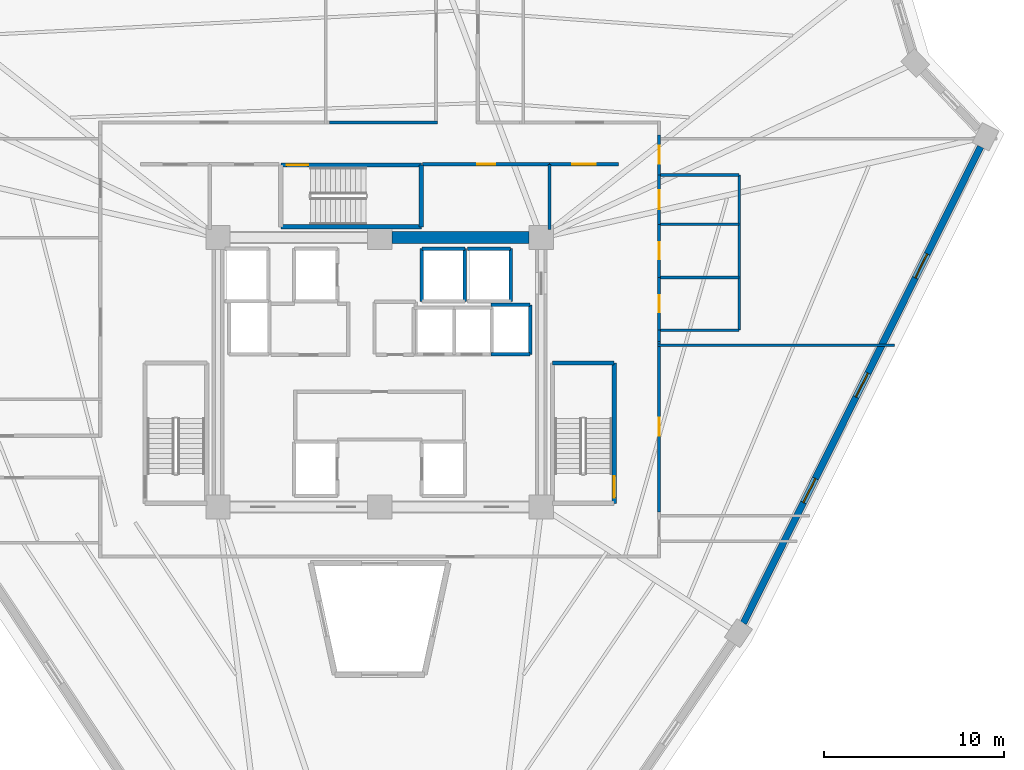
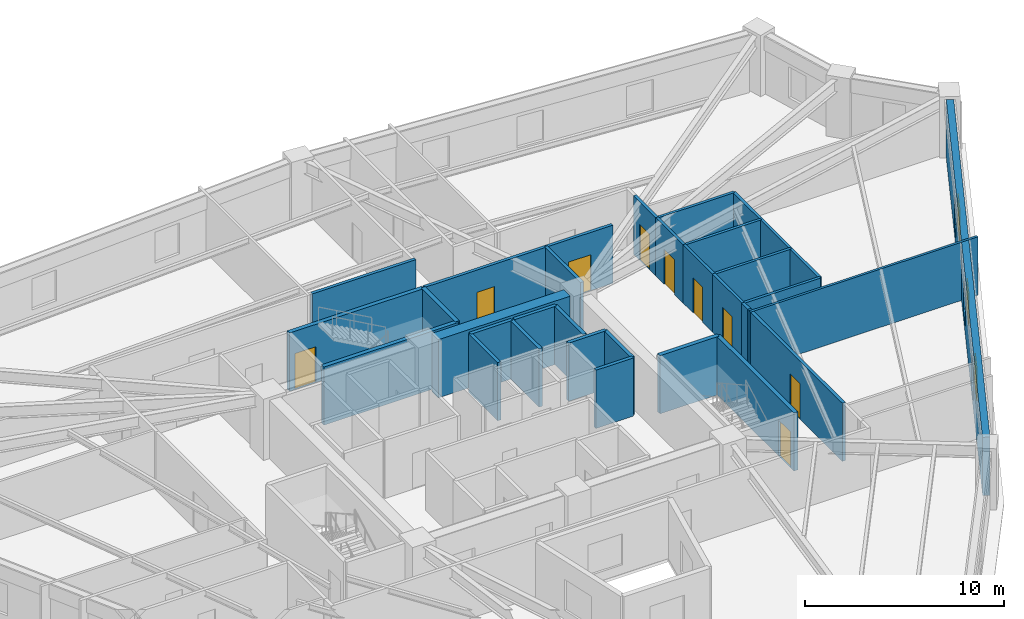
# One storey, part 6 of 8: 31 walls, 9 doors, 3 windows, 12 openings.
"""IFC4 building model written with IfcOpenShell, lengths in metres."""

from ifc_helpers import new_model, si_unit, direction, frame, frame_2d, origin, place, context, subcontext, project, spatial, rectangle, extrude, source, transform, mapped, material, layer, layer_set, type_object, element, fill, save


model = new_model("IFC4")

# Units and contexts
model_context = context("Model", 3, precision=1e-05, world=origin(), true_north=direction((0.0, 1.0)))
body_context = subcontext(model_context, "Body", "Model", "MODEL_VIEW")
ifc_project = project(units=[si_unit("LENGTHUNIT", "METRE"), si_unit("AREAUNIT", "SQUARE_METRE"), si_unit("VOLUMEUNIT", "CUBIC_METRE"), si_unit("PLANEANGLEUNIT", "RADIAN"), si_unit("MASSUNIT", "GRAM", prefix="KILO")], contexts=[model_context])

# Site, building, storey
site_placement = place(None, origin())
site = spatial("IfcSite", under=ifc_project, at=site_placement, CompositionType="ELEMENT")
building_placement = place(site_placement, origin())
building = spatial("IfcBuilding", under=site, at=building_placement, Name="Liaohun Quay Tower", CompositionType="ELEMENT")
storey_placement = place(building_placement, frame((0.0, 0.0, 205.5)))
storey = spatial("IfcBuildingStorey", under=building, at=storey_placement, Name="L53", CompositionType="ELEMENT", Elevation=205.5)

# Wall
ifc_material_1 = material(Name="Concrete C55", Category="concrete")
ifc_layer_1 = layer(ifc_material_1, 0.64990234375, Name="Concrete C55", Category="concrete")
ifc_layer_set_1 = layer_set([ifc_layer_1], Name="Concrete C55")
wall_type_1 = type_object("IfcWallType", Name="WAL-COR-Z3", PredefinedType="SHEAR", material=ifc_layer_set_1)
wall_1_placement = place(storey_placement, frame((60.675048828125, 61.5, 0.0), z_axis=(0.0, 0.0, 1.0), x_axis=(1.0, 0.0, 0.0)))
element("IfcWall", 1, at=wall_1_placement, inside=storey, type_object=wall_type_1, Name="L53 Central Core Shear Wall N-E", PredefinedType="SHEAR", context=body_context, shape_type="SweptSolid", body=[
    extrude(rectangle(XDim=7.64990234375, YDim=0.64990234375, at=frame_2d((3.824951171875, 0.0))), origin(), (0.0, 0.0, 1.0), 3.570068359375),
])

# Wall, openings, windows
ifc_material_2 = material(Name="Precast concrete C50 insulated sandwich", Category="concrete")
ifc_layer_2 = layer(ifc_material_2, 0.3798828125, Name="Precast concrete C50 insulated sandwich", Category="concrete")
ifc_layer_set_2 = layer_set([ifc_layer_2], Name="Precast concrete C50 insulated sandwich")
wall_type_2 = type_object("IfcWallType", Name="WAL-EXT-Z34", PredefinedType="SOLIDWALL", material=ifc_layer_set_2)
wall_2_placement = place(storey_placement, frame((80.2490234375, 40.02392578125, 0.0), z_axis=(0.0, 0.0, 1.0), x_axis=(0.445750225077, 0.895157381047, 0.0)))
wall_2 = element("IfcWall", 2, at=wall_2_placement, inside=storey, type_object=wall_type_2, Name="L53 Brutalist Precast Pier Wall 03", PredefinedType="SOLIDWALL", context=body_context, shape_type="SweptSolid", body=[
    extrude(rectangle(XDim=29.641845703125, YDim=0.3798828125, at=frame_2d((14.82080078125, 0.0))), origin(), (0.0, 0.0, 1.0), 3.570068359375),
])
shared_shape_1 = source(origin(), body_context, "Body", "SweptSolid", [
    extrude(rectangle(XDim=1.5, YDim=1.89990234375, at=frame_2d((0.75, 0.949951171875))), frame((0.0, 0.199951171875, 0.0), z_axis=(0.0, -1.0, 0.0), x_axis=(1.0, 0.0, 0.0)), (0.0, 0.0, 1.0), 0.39990234375),
])
opening_1_placement = place(wall_2_placement, frame((7.510009765625, 0.0, 0.550048828125)))
opening_1 = element("IfcOpeningElement", 3, at=opening_1_placement, cuts=wall_2, Name="Opening W03", PredefinedType="OPENING", context=body_context, shape_type="MappedRepresentation", body=[
    mapped(shared_shape_1, transform((0.0, 0.0, 0.0), x_axis=(1.0, 0.0, 0.0), y_axis=(0.0, 1.0, 0.0), z_axis=(0.0, 0.0, 1.0), scale=1.0)),
])
opening_2_placement = place(wall_2_placement, frame((14.071044921875, 0.0, 0.550048828125)))
opening_2 = element("IfcOpeningElement", 4, at=opening_2_placement, cuts=wall_2, Name="Opening W03", PredefinedType="OPENING", context=body_context, shape_type="MappedRepresentation", body=[
    mapped(shared_shape_1, transform((0.0, 0.0, 0.0), x_axis=(1.0, 0.0, 0.0), y_axis=(0.0, 1.0, 0.0), z_axis=(0.0, 0.0, 1.0), scale=1.0)),
])
opening_3_placement = place(wall_2_placement, frame((21.48095703125, 0.0, 0.550048828125)))
opening_3 = element("IfcOpeningElement", 5, at=opening_3_placement, cuts=wall_2, Name="Opening W03", PredefinedType="OPENING", context=body_context, shape_type="MappedRepresentation", body=[
    mapped(shared_shape_1, transform((0.0, 0.0, 0.0), x_axis=(1.0, 0.0, 0.0), y_axis=(0.0, 1.0, 0.0), z_axis=(0.0, 0.0, 1.0), scale=1.0)),
])
ifc_material_3 = material(Name="Triple Low-E argon glazing in thermally broken aluminium", Category="aluminium")
window_type = type_object("IfcWindowType", Name="WIN-PUN-Z3", PartitioningType="DOUBLE_PANEL_VERTICAL", PredefinedType="WINDOW", material=ifc_material_3)
shared_shape_2 = source(origin(), body_context, "Body", "SweptSolid", [
    extrude(rectangle(XDim=1.5, YDim=1.89990234375, at=frame_2d((0.75, 0.949951171875))), frame((0.0, 0.030029296875, 0.0), z_axis=(0.0, -1.0, 0.0), x_axis=(1.0, 0.0, 0.0)), (0.0, 0.0, 1.0), 0.06005859375),
])
window_1_placement = place(opening_1_placement, origin())
window_1 = element("IfcWindow", 6, at=window_1_placement, inside=storey, type_object=window_type, Name="L53 Recessed Cold-Climate Punched Window 03-1", OverallHeight=1.89990234375, OverallWidth=1.5, PartitioningType="DOUBLE_PANEL_VERTICAL", PredefinedType="WINDOW", context=body_context, shape_type="MappedRepresentation", body=[
    mapped(shared_shape_2, transform((0.0, 0.0, 0.0), x_axis=(1.0, 0.0, 0.0), y_axis=(0.0, 1.0, 0.0), z_axis=(0.0, 0.0, 1.0), scale=1.0)),
])
fill(opening_1, window_1)
window_2_placement = place(opening_2_placement, origin())
window_2 = element("IfcWindow", 7, at=window_2_placement, inside=storey, type_object=window_type, Name="L53 Recessed Cold-Climate Punched Window 03-2", OverallHeight=1.89990234375, OverallWidth=1.5, PartitioningType="DOUBLE_PANEL_VERTICAL", PredefinedType="WINDOW", context=body_context, shape_type="MappedRepresentation", body=[
    mapped(shared_shape_2, transform((0.0, 0.0, 0.0), x_axis=(1.0, 0.0, 0.0), y_axis=(0.0, 1.0, 0.0), z_axis=(0.0, 0.0, 1.0), scale=1.0)),
])
fill(opening_2, window_2)
window_3_placement = place(opening_3_placement, origin())
window_3 = element("IfcWindow", 8, at=window_3_placement, inside=storey, type_object=window_type, Name="L53 Recessed Cold-Climate Punched Window 03-3", OverallHeight=1.89990234375, OverallWidth=1.5, PartitioningType="DOUBLE_PANEL_VERTICAL", PredefinedType="WINDOW", context=body_context, shape_type="MappedRepresentation", body=[
    mapped(shared_shape_2, transform((0.0, 0.0, 0.0), x_axis=(1.0, 0.0, 0.0), y_axis=(0.0, 1.0, 0.0), z_axis=(0.0, 0.0, 1.0), scale=1.0)),
])
fill(opening_3, window_3)

# Wall, opening, door
ifc_material_4 = material(Name="Autoclaved aerated concrete blockwork", Category="masonry")
ifc_layer_3 = layer(ifc_material_4, 0.179931640625, Name="Autoclaved aerated concrete blockwork", Category="masonry")
ifc_layer_set_3 = layer_set([ifc_layer_3], Name="Autoclaved aerated concrete blockwork")
wall_type_3 = type_object("IfcWallType", Name="WAL-PRT-COR", PredefinedType="PARTITIONING", material=ifc_layer_set_3)
wall_3_placement = place(storey_placement, frame((62.389892578125, 65.580078125, 0.0), z_axis=(0.0, 0.0, 1.0), x_axis=(1.0, 0.0, 0.0)))
wall_3 = element("IfcWall", 9, at=wall_3_placement, inside=storey, type_object=wall_type_3, Name="L53 Interior Partition Wall 008", PredefinedType="PARTITIONING", context=body_context, shape_type="SweptSolid", body=[
    extrude(rectangle(XDim=7.070068359375, YDim=0.179931640625, at=frame_2d((3.53515625, 0.0))), origin(), (0.0, 0.0, 1.0), 3.570068359375),
])
shared_shape_3 = source(origin(), body_context, "Body", "SweptSolid", [
    extrude(rectangle(XDim=1.0, YDim=2.199951171875, at=frame_2d((0.5, 1.10009765625))), frame((0.0, 0.099853515625, 0.0), z_axis=(0.0, -1.0, 0.0), x_axis=(1.0, 0.0, 0.0)), (0.0, 0.0, 1.0), 0.199951171875),
])
opening_4_placement = place(wall_3_placement, frame((3.034912109375, 0.0, 0.0)))
opening_4 = element("IfcOpeningElement", 10, at=opening_4_placement, cuts=wall_3, Name="Opening OD1", PredefinedType="OPENING", context=body_context, shape_type="MappedRepresentation", body=[
    mapped(shared_shape_3, transform((0.0, 0.0, 0.0), x_axis=(1.0, 0.0, 0.0), y_axis=(0.0, 1.0, 0.0), z_axis=(0.0, 0.0, 1.0), scale=1.0)),
])
ifc_material_5 = material(Name="Solid-core oak veneer timber leaf in steel frame", Category="steel")
door_type_1 = type_object("IfcDoorType", Name="DOR-OFF-1000", OperationType="NOTDEFINED", PredefinedType="DOOR", material=ifc_material_5)
shared_shape_4 = source(origin(), body_context, "Body", "SweptSolid", [
    extrude(rectangle(XDim=1.0, YDim=2.199951171875, at=frame_2d((0.5, 1.10009765625))), frame((0.0, 0.02490234375, 0.0), z_axis=(0.0, -1.0, 0.0), x_axis=(1.0, 0.0, 0.0)), (0.0, 0.0, 1.0), 0.050048828125),
])
door_1_placement = place(opening_4_placement, origin())
door_1 = element("IfcDoor", 11, at=door_1_placement, inside=storey, type_object=door_type_1, Name="L53 North-East Archive and Mail Room Door", OperationType="SINGLE_SWING_LEFT", OverallHeight=2.199951171875, OverallWidth=1.0, PredefinedType="DOOR", context=body_context, shape_type="MappedRepresentation", body=[
    mapped(shared_shape_4, transform((0.0, 0.0, 0.0), x_axis=(1.0, 0.0, 0.0), y_axis=(0.0, 1.0, 0.0), z_axis=(0.0, 0.0, 1.0), scale=1.0)),
])
fill(opening_4, door_1)

wall_4_placement = place(storey_placement, frame((69.4599609375, 65.580078125, 0.0), z_axis=(0.0, 0.0, 1.0), x_axis=(1.0, 0.0, 0.0)))
wall_4 = element("IfcWall", 12, at=wall_4_placement, inside=storey, type_object=wall_type_3, Name="L53 Interior Partition Wall 010", PredefinedType="PARTITIONING", context=body_context, shape_type="SweptSolid", body=[
    extrude(rectangle(XDim=3.840087890625, YDim=0.179931640625, at=frame_2d((1.919921875, 0.0))), origin(), (0.0, 0.0, 1.0), 3.570068359375),
])
shared_shape_5 = source(origin(), body_context, "Body", "SweptSolid", [
    extrude(rectangle(XDim=1.300048828125, YDim=2.199951171875, at=frame_2d((0.64990234375, 1.10009765625))), frame((0.0, 0.099853515625, 0.0), z_axis=(0.0, -1.0, 0.0), x_axis=(1.0, 0.0, 0.0)), (0.0, 0.0, 1.0), 0.199951171875),
])
opening_5_placement = place(wall_4_placement, frame((1.27001953125, 0.0, 0.0)))
opening_5 = element("IfcOpeningElement", 13, at=opening_5_placement, cuts=wall_4, Name="Opening FD1", PredefinedType="OPENING", context=body_context, shape_type="MappedRepresentation", body=[
    mapped(shared_shape_5, transform((0.0, 0.0, 0.0), x_axis=(1.0, 0.0, 0.0), y_axis=(0.0, 1.0, 0.0), z_axis=(0.0, 0.0, 1.0), scale=1.0)),
])
ifc_material_6 = material(Name="Galvanised steel smokeproof fire door", Category="steel")
door_type_2 = type_object("IfcDoorType", Name="DOR-FFL-1300", OperationType="NOTDEFINED", PredefinedType="DOOR", material=ifc_material_6)
shared_shape_6 = source(origin(), body_context, "Body", "SweptSolid", [
    extrude(rectangle(XDim=1.300048828125, YDim=2.199951171875, at=frame_2d((0.64990234375, 1.10009765625))), frame((0.0, 0.02490234375, 0.0), z_axis=(0.0, -1.0, 0.0), x_axis=(1.0, 0.0, 0.0)), (0.0, 0.0, 1.0), 0.050048828125),
])
door_2_placement = place(opening_5_placement, origin())
door_2 = element("IfcDoor", 14, at=door_2_placement, inside=storey, type_object=door_type_2, Name="L53 East Core Vestibule Door", OperationType="SINGLE_SWING_LEFT", OverallHeight=2.199951171875, OverallWidth=1.300048828125, PredefinedType="DOOR", context=body_context, shape_type="MappedRepresentation", body=[
    mapped(shared_shape_6, transform((0.0, 0.0, 0.0), x_axis=(1.0, 0.0, 0.0), y_axis=(0.0, 1.0, 0.0), z_axis=(0.0, 0.0, 1.0), scale=1.0)),
])
fill(opening_5, door_2)

wall_5_placement = place(storey_placement, frame((75.56005859375, 67.215087890625, 0.0), z_axis=(0.0, 0.0, 1.0), x_axis=(0.0, -1.0, 0.0)))
wall_5 = element("IfcWall", 15, at=wall_5_placement, inside=storey, type_object=wall_type_3, Name="L53 Interior Partition Wall 011", PredefinedType="PARTITIONING", context=body_context, shape_type="SweptSolid", body=[
    extrude(rectangle(XDim=2.235107421875, YDim=0.179931640625, at=frame_2d((1.11767578125, 0.0))), origin(), (0.0, 0.0, 1.0), 3.570068359375),
])
opening_6_placement = place(wall_5_placement, frame((0.616943359375, 0.0, 0.0)))
opening_6 = element("IfcOpeningElement", 16, at=opening_6_placement, cuts=wall_5, Name="Opening OD1", PredefinedType="OPENING", context=body_context, shape_type="MappedRepresentation", body=[
    mapped(shared_shape_3, transform((0.0, 0.0, 0.0), x_axis=(1.0, 0.0, 0.0), y_axis=(0.0, 1.0, 0.0), z_axis=(0.0, 0.0, 1.0), scale=1.0)),
])
door_3_placement = place(opening_6_placement, origin())
door_3 = element("IfcDoor", 17, at=door_3_placement, inside=storey, type_object=door_type_1, Name="L53 Staff Daycare Nursery 01 Door", OperationType="SINGLE_SWING_RIGHT", OverallHeight=2.199951171875, OverallWidth=1.0, PredefinedType="DOOR", context=body_context, shape_type="MappedRepresentation", body=[
    mapped(shared_shape_4, transform((0.0, 0.0, 0.0), x_axis=(1.0, 0.0, 0.0), y_axis=(0.0, 1.0, 0.0), z_axis=(0.0, 0.0, 1.0), scale=1.0)),
])
fill(opening_6, door_3)

wall_6_placement = place(storey_placement, frame((75.56005859375, 55.715087890625, 0.0), z_axis=(0.0, 0.0, 1.0), x_axis=(0.0, -1.0, 0.0)))
wall_6 = element("IfcWall", 18, at=wall_6_placement, inside=storey, type_object=wall_type_3, Name="L53 Interior Partition Wall 022", PredefinedType="PARTITIONING", context=body_context, shape_type="SweptSolid", body=[
    extrude(rectangle(XDim=9.5, YDim=0.179931640625, at=frame_2d((4.75, 0.0))), origin(), (0.0, 0.0, 1.0), 3.570068359375),
])
opening_7_placement = place(wall_6_placement, frame((4.25, 0.0, 0.0)))
opening_7 = element("IfcOpeningElement", 19, at=opening_7_placement, cuts=wall_6, Name="Opening OD1", PredefinedType="OPENING", context=body_context, shape_type="MappedRepresentation", body=[
    mapped(shared_shape_3, transform((0.0, 0.0, 0.0), x_axis=(1.0, 0.0, 0.0), y_axis=(0.0, 1.0, 0.0), z_axis=(0.0, 0.0, 1.0), scale=1.0)),
])
door_4_placement = place(opening_7_placement, origin())
door_4 = element("IfcDoor", 20, at=door_4_placement, inside=storey, type_object=door_type_1, Name="L53 Client Reception Office 12 Door", OperationType="SINGLE_SWING_LEFT", OverallHeight=2.199951171875, OverallWidth=1.0, PredefinedType="DOOR", context=body_context, shape_type="MappedRepresentation", body=[
    mapped(shared_shape_4, transform((0.0, 0.0, 0.0), x_axis=(1.0, 0.0, 0.0), y_axis=(0.0, 1.0, 0.0), z_axis=(0.0, 0.0, 1.0), scale=1.0)),
])
fill(opening_7, door_4)

# Walls
wall_7_placement = place(storey_placement, frame((69.4599609375, 61.949951171875, 0.0), z_axis=(0.0, 0.0, 1.0), x_axis=(0.0, 1.0, 0.0)))
element("IfcWall", 21, at=wall_7_placement, inside=storey, type_object=wall_type_3, Name="L53 Interior Partition Wall 032", PredefinedType="PARTITIONING", context=body_context, shape_type="SweptSolid", body=[
    extrude(rectangle(XDim=3.630126953125, YDim=0.179931640625, at=frame_2d((1.81494140625, 0.0))), origin(), (0.0, 0.0, 1.0), 3.570068359375),
])
wall_8_placement = place(storey_placement, frame((75.56005859375, 56.340087890625, 0.0), z_axis=(0.0, 0.0, 1.0), x_axis=(0.0, -1.0, 0.0)))
element("IfcWall", 22, at=wall_8_placement, inside=storey, type_object=wall_type_3, Name="L53 Interior Partition Wall 033", PredefinedType="PARTITIONING", context=body_context, shape_type="SweptSolid", body=[
    extrude(rectangle(XDim=0.625, YDim=0.179931640625, at=frame_2d((0.3125, 0.0))), origin(), (0.0, 0.0, 1.0), 3.570068359375),
])
wall_9_placement = place(storey_placement, frame((57.215087890625, 67.909912109375, 0.0), z_axis=(0.0, 0.0, 1.0), x_axis=(1.0, 0.0, 0.0)))
element("IfcWall", 23, at=wall_9_placement, inside=storey, type_object=wall_type_3, Name="L53 Interior Partition Wall 036", PredefinedType="PARTITIONING", context=body_context, shape_type="SweptSolid", body=[
    extrude(rectangle(XDim=5.994873046875, YDim=0.179931640625, at=frame_2d((2.99755859375, 0.0))), origin(), (0.0, 0.0, 1.0), 3.570068359375),
])
ifc_material_7 = material(Name="Gypsum board on twin steel studs", Category="steel")
ifc_layer_4 = layer(ifc_material_7, 0.139892578125, Name="Gypsum board on twin steel studs", Category="steel")
ifc_layer_set_4 = layer_set([ifc_layer_4], Name="Gypsum board on twin steel studs")
wall_type_4 = type_object("IfcWallType", Name="WAL-PRT-OFF", PredefinedType="PARTITIONING", material=ifc_layer_set_4)
wall_10_placement = place(storey_placement, frame((75.4599609375, 55.5, 0.0), z_axis=(0.0, 0.0, 1.0), x_axis=(1.0, 0.0, 0.0)))
element("IfcWall", 24, at=wall_10_placement, inside=storey, type_object=wall_type_4, Name="L53 Interior Partition Wall 048", PredefinedType="PARTITIONING", context=body_context, shape_type="SweptSolid", body=[
    extrude(rectangle(XDim=13.198974609375, YDim=0.139892578125, at=frame_2d((6.599609375, 0.0))), origin(), (0.0, 0.0, 1.0), 3.570068359375),
])

# Wall, opening, door
ifc_material_8 = material(Name="Moisture-resistant masonry blockwork", Category="masonry")
ifc_layer_5 = layer(ifc_material_8, 0.159912109375, Name="Moisture-resistant masonry blockwork", Category="masonry")
ifc_layer_set_5 = layer_set([ifc_layer_5], Name="Moisture-resistant masonry blockwork")
wall_type_5 = type_object("IfcWallType", Name="WAL-PRT-WET", PredefinedType="PARTITIONING", material=ifc_layer_set_5)
wall_11_placement = place(storey_placement, frame((75.56005859375, 56.340087890625, 0.0), z_axis=(0.0, 0.0, 1.0), x_axis=(0.0, 1.0, 0.0)))
wall_11 = element("IfcWall", 25, at=wall_11_placement, inside=storey, type_object=wall_type_5, Name="L53 Interior Partition Wall 004", PredefinedType="PARTITIONING", context=body_context, shape_type="SweptSolid", body=[
    extrude(rectangle(XDim=2.93994140625, YDim=0.159912109375, at=frame_2d((1.469970703125, 0.0))), origin(), (0.0, 0.0, 1.0), 3.570068359375),
])
shared_shape_7 = source(origin(), body_context, "Body", "SweptSolid", [
    extrude(rectangle(XDim=0.949951171875, YDim=2.14990234375, at=frame_2d((0.47509765625, 1.074951171875))), frame((0.0, 0.08984375, 0.0), z_axis=(0.0, -1.0, 0.0), x_axis=(1.0, 0.0, 0.0)), (0.0, 0.0, 1.0), 0.179931640625),
])
opening_8_placement = place(wall_11_placement, frame((0.9951171875, 0.0, 0.0)))
opening_8 = element("IfcOpeningElement", 26, at=opening_8_placement, cuts=wall_11, Name="Opening WD1", PredefinedType="OPENING", context=body_context, shape_type="MappedRepresentation", body=[
    mapped(shared_shape_7, transform((0.0, 0.0, 0.0), x_axis=(1.0, 0.0, 0.0), y_axis=(0.0, 1.0, 0.0), z_axis=(0.0, 0.0, 1.0), scale=1.0)),
])
ifc_material_9 = material(Name="Moisture-resistant laminate timber leaf", Category="wood")
door_type_3 = type_object("IfcDoorType", Name="DOR-WC-950", OperationType="NOTDEFINED", PredefinedType="DOOR", material=ifc_material_9)
shared_shape_8 = source(origin(), body_context, "Body", "SweptSolid", [
    extrude(rectangle(XDim=0.949951171875, YDim=2.14990234375, at=frame_2d((0.47509765625, 1.074951171875))), frame((0.0, 0.02490234375, 0.0), z_axis=(0.0, -1.0, 0.0), x_axis=(1.0, 0.0, 0.0)), (0.0, 0.0, 1.0), 0.050048828125),
])
door_5_placement = place(opening_8_placement, origin())
door_5 = element("IfcDoor", 27, at=door_5_placement, inside=storey, type_object=door_type_3, Name="L53 Male Restroom WC Door", OperationType="SINGLE_SWING_LEFT", OverallHeight=2.14990234375, OverallWidth=0.949951171875, PredefinedType="DOOR", context=body_context, shape_type="MappedRepresentation", body=[
    mapped(shared_shape_8, transform((0.0, 0.0, 0.0), x_axis=(1.0, 0.0, 0.0), y_axis=(0.0, 1.0, 0.0), z_axis=(0.0, 0.0, 1.0), scale=1.0)),
])
fill(opening_8, door_5)

wall_12_placement = place(storey_placement, frame((75.56005859375, 59.280029296875, 0.0), z_axis=(0.0, 0.0, 1.0), x_axis=(0.0, 1.0, 0.0)))
wall_12 = element("IfcWall", 28, at=wall_12_placement, inside=storey, type_object=wall_type_5, Name="L53 Interior Partition Wall 005", PredefinedType="PARTITIONING", context=body_context, shape_type="SweptSolid", body=[
    extrude(rectangle(XDim=2.9599609375, YDim=0.159912109375, at=frame_2d((1.47998046875, 0.0))), origin(), (0.0, 0.0, 1.0), 3.570068359375),
])
opening_9_placement = place(wall_12_placement, frame((1.0048828125, 0.0, 0.0)))
opening_9 = element("IfcOpeningElement", 29, at=opening_9_placement, cuts=wall_12, Name="Opening WD1", PredefinedType="OPENING", context=body_context, shape_type="MappedRepresentation", body=[
    mapped(shared_shape_7, transform((0.0, 0.0, 0.0), x_axis=(1.0, 0.0, 0.0), y_axis=(0.0, 1.0, 0.0), z_axis=(0.0, 0.0, 1.0), scale=1.0)),
])
door_6_placement = place(opening_9_placement, origin())
door_6 = element("IfcDoor", 30, at=door_6_placement, inside=storey, type_object=door_type_3, Name="L53 Female Restroom WC Door", OperationType="SINGLE_SWING_RIGHT", OverallHeight=2.14990234375, OverallWidth=0.949951171875, PredefinedType="DOOR", context=body_context, shape_type="MappedRepresentation", body=[
    mapped(shared_shape_8, transform((0.0, 0.0, 0.0), x_axis=(1.0, 0.0, 0.0), y_axis=(0.0, 1.0, 0.0), z_axis=(0.0, 0.0, 1.0), scale=1.0)),
])
fill(opening_9, door_6)

wall_13_placement = place(storey_placement, frame((75.56005859375, 62.239990234375, 0.0), z_axis=(0.0, 0.0, 1.0), x_axis=(0.0, 1.0, 0.0)))
wall_13 = element("IfcWall", 31, at=wall_13_placement, inside=storey, type_object=wall_type_5, Name="L53 Interior Partition Wall 006", PredefinedType="PARTITIONING", context=body_context, shape_type="SweptSolid", body=[
    extrude(rectangle(XDim=2.739990234375, YDim=0.159912109375, at=frame_2d((1.3701171875, 0.0))), origin(), (0.0, 0.0, 1.0), 3.570068359375),
])
shared_shape_9 = source(origin(), body_context, "Body", "SweptSolid", [
    extrude(rectangle(XDim=1.050048828125, YDim=2.14990234375, at=frame_2d((0.52490234375, 1.074951171875))), frame((0.0, 0.08984375, 0.0), z_axis=(0.0, -1.0, 0.0), x_axis=(1.0, 0.0, 0.0)), (0.0, 0.0, 1.0), 0.179931640625),
])
opening_10_placement = place(wall_13_placement, frame((0.844970703125, 0.0, 0.0)))
opening_10 = element("IfcOpeningElement", 32, at=opening_10_placement, cuts=wall_13, Name="Opening WD2", PredefinedType="OPENING", context=body_context, shape_type="MappedRepresentation", body=[
    mapped(shared_shape_9, transform((0.0, 0.0, 0.0), x_axis=(1.0, 0.0, 0.0), y_axis=(0.0, 1.0, 0.0), z_axis=(0.0, 0.0, 1.0), scale=1.0)),
])
ifc_material_10 = material(Name="Accessible outward-swinging laminate door")
door_type_4 = type_object("IfcDoorType", Name="DOR-AWC-1050", OperationType="NOTDEFINED", PredefinedType="DOOR", material=ifc_material_10)
shared_shape_10 = source(origin(), body_context, "Body", "SweptSolid", [
    extrude(rectangle(XDim=1.050048828125, YDim=2.14990234375, at=frame_2d((0.52490234375, 1.074951171875))), frame((0.0, 0.02490234375, 0.0), z_axis=(0.0, -1.0, 0.0), x_axis=(1.0, 0.0, 0.0)), (0.0, 0.0, 1.0), 0.050048828125),
])
door_7_placement = place(opening_10_placement, origin())
door_7 = element("IfcDoor", 33, at=door_7_placement, inside=storey, type_object=door_type_4, Name="L53 Accessible WC Door", OperationType="SINGLE_SWING_LEFT", OverallHeight=2.14990234375, OverallWidth=1.050048828125, PredefinedType="DOOR", context=body_context, shape_type="MappedRepresentation", body=[
    mapped(shared_shape_10, transform((0.0, 0.0, 0.0), x_axis=(1.0, 0.0, 0.0), y_axis=(0.0, 1.0, 0.0), z_axis=(0.0, 0.0, 1.0), scale=1.0)),
])
fill(opening_10, door_7)

# Walls
wall_14_placement = place(storey_placement, frame((80.02001953125, 56.340087890625, 0.0), z_axis=(0.0, 0.0, 1.0), x_axis=(0.0, 1.0, 0.0)))
element("IfcWall", 34, at=wall_14_placement, inside=storey, type_object=wall_type_5, Name="L53 Interior Partition Wall 026", PredefinedType="PARTITIONING", context=body_context, shape_type="SweptSolid", body=[
    extrude(rectangle(XDim=8.639892578125, YDim=0.159912109375, at=frame_2d((4.31982421875, 0.0))), origin(), (0.0, 0.0, 1.0), 3.570068359375),
])
for number, where, z_axis, x_axis, name in (
    (35, (75.56005859375, 56.340087890625, 0.0), (0.0, 0.0, 1.0), (1.0, 0.0, 0.0), "L53 Interior Partition Wall 027"),
    (36, (75.56005859375, 59.280029296875, 0.0), (0.0, 0.0, 1.0), (1.0, 0.0, 0.0), "L53 Interior Partition Wall 028"),
    (37, (75.56005859375, 62.239990234375, 0.0), (0.0, 0.0, 1.0), (1.0, 0.0, 0.0), "L53 Interior Partition Wall 029"),
    (38, (75.56005859375, 64.97998046875, 0.0), (0.0, 0.0, 1.0), (1.0, 0.0, 0.0), "L53 Interior Partition Wall 030"),
):
    element("IfcWall", number, at=place(storey_placement, frame(where, z_axis=z_axis, x_axis=x_axis)), inside=storey, type_object=wall_type_5, Name=name, PredefinedType="PARTITIONING", context=body_context, shape_type="SweptSolid", body=[
        extrude(rectangle(XDim=4.4599609375, YDim=0.159912109375, at=frame_2d((2.22998046875, 0.0))), origin(), (0.0, 0.0, 1.0), 3.570068359375),
    ])

# Wall, opening, door
ifc_material_11 = material(Name="Concrete C50", Category="concrete")
ifc_layer_6 = layer(ifc_material_11, 0.239990234375, Name="Concrete C50", Category="concrete")
ifc_layer_set_6 = layer_set([ifc_layer_6], Name="Concrete C50")
wall_type_6 = type_object("IfcWallType", Name="WAL-SHF-200", PredefinedType="SOLIDWALL", material=ifc_layer_set_6)
wall_15_placement = place(storey_placement, frame((73.06005859375, 46.699951171875, 0.0), z_axis=(0.0, 0.0, 1.0), x_axis=(0.0, 1.0, 0.0)))
wall_15 = element("IfcWall", 39, at=wall_15_placement, inside=storey, type_object=wall_type_6, Name="L53 Stairwell ST-2 Structural Core Wall E", PredefinedType="SOLIDWALL", context=body_context, shape_type="SweptSolid", body=[
    extrude(rectangle(XDim=7.820068359375, YDim=0.239990234375, at=frame_2d((3.91015625, 0.0))), origin(), (0.0, 0.0, 1.0), 3.570068359375),
])
shared_shape_11 = source(origin(), body_context, "Body", "SweptSolid", [
    extrude(rectangle(XDim=1.199951171875, YDim=2.199951171875, at=frame_2d((0.60009765625, 1.10009765625))), frame((0.0, 0.1298828125, 0.0), z_axis=(0.0, -1.0, 0.0), x_axis=(1.0, 0.0, 0.0)), (0.0, 0.0, 1.0), 0.260009765625),
])
opening_11_placement = place(wall_15_placement, frame((0.320068359375, 0.0, 0.0)))
opening_11 = element("IfcOpeningElement", 40, at=opening_11_placement, cuts=wall_15, Name="Opening SD1", PredefinedType="OPENING", context=body_context, shape_type="MappedRepresentation", body=[
    mapped(shared_shape_11, transform((0.0, 0.0, 0.0), x_axis=(1.0, 0.0, 0.0), y_axis=(0.0, 1.0, 0.0), z_axis=(0.0, 0.0, 1.0), scale=1.0)),
])
ifc_material_12 = material(Name="Galvanised steel fire door", Category="steel")
door_type_5 = type_object("IfcDoorType", Name="DOR-STR-1200", OperationType="NOTDEFINED", PredefinedType="DOOR", material=ifc_material_12)
shared_shape_12 = source(origin(), body_context, "Body", "SweptSolid", [
    extrude(rectangle(XDim=1.199951171875, YDim=2.199951171875, at=frame_2d((0.60009765625, 1.10009765625))), frame((0.0, 0.02490234375, 0.0), z_axis=(0.0, -1.0, 0.0), x_axis=(1.0, 0.0, 0.0)), (0.0, 0.0, 1.0), 0.050048828125),
])
door_8_placement = place(opening_11_placement, origin())
door_8 = element("IfcDoor", 41, at=door_8_placement, inside=storey, type_object=door_type_5, Name="L53 Protected Stair ST-2 Fire Door", OperationType="SINGLE_SWING_RIGHT", OverallHeight=2.199951171875, OverallWidth=1.199951171875, PredefinedType="DOOR", context=body_context, shape_type="MappedRepresentation", body=[
    mapped(shared_shape_12, transform((0.0, 0.0, 0.0), x_axis=(1.0, 0.0, 0.0), y_axis=(0.0, 1.0, 0.0), z_axis=(0.0, 0.0, 1.0), scale=1.0)),
])
fill(opening_11, door_8)

# Walls
wall_16_placement = place(storey_placement, frame((73.06005859375, 54.52001953125, 0.0), z_axis=(0.0, 0.0, 1.0), x_axis=(-1.0, 0.0, 0.0)))
element("IfcWall", 42, at=wall_16_placement, inside=storey, type_object=wall_type_6, Name="L53 Stairwell ST-2 Structural Core Wall N", PredefinedType="SOLIDWALL", context=body_context, shape_type="SweptSolid", body=[
    extrude(rectangle(XDim=3.43994140625, YDim=0.239990234375, at=frame_2d((1.719970703125, 0.0))), origin(), (0.0, 0.0, 1.0), 3.570068359375),
])
wall_17_placement = place(storey_placement, frame((54.5, 62.10009765625, 0.0), z_axis=(0.0, 0.0, 1.0), x_axis=(1.0, 0.0, 0.0)))
element("IfcWall", 43, at=wall_17_placement, inside=storey, type_object=wall_type_6, Name="L53 Stairwell ST-3 Structural Core Wall S", PredefinedType="SOLIDWALL", context=body_context, shape_type="SweptSolid", body=[
    extrude(rectangle(XDim=7.820068359375, YDim=0.239990234375, at=frame_2d((3.91015625, 0.0))), origin(), (0.0, 0.0, 1.0), 3.570068359375),
])
wall_18_placement = place(storey_placement, frame((62.320068359375, 62.10009765625, 0.0), z_axis=(0.0, 0.0, 1.0), x_axis=(0.0, 1.0, 0.0)))
element("IfcWall", 44, at=wall_18_placement, inside=storey, type_object=wall_type_6, Name="L53 Stairwell ST-3 Structural Core Wall E", PredefinedType="SOLIDWALL", context=body_context, shape_type="SweptSolid", body=[
    extrude(rectangle(XDim=3.43994140625, YDim=0.239990234375, at=frame_2d((1.719970703125, 0.0))), origin(), (0.0, 0.0, 1.0), 3.570068359375),
])

# Wall, opening, door
wall_19_placement = place(storey_placement, frame((62.320068359375, 65.5400390625, 0.0), z_axis=(0.0, 0.0, 1.0), x_axis=(-1.0, 0.0, 0.0)))
wall_19 = element("IfcWall", 45, at=wall_19_placement, inside=storey, type_object=wall_type_6, Name="L53 Stairwell ST-3 Structural Core Wall N", PredefinedType="SOLIDWALL", context=body_context, shape_type="SweptSolid", body=[
    extrude(rectangle(XDim=7.820068359375, YDim=0.239990234375, at=frame_2d((3.91015625, 0.0))), origin(), (0.0, 0.0, 1.0), 3.570068359375),
])
opening_12_placement = place(wall_19_placement, frame((6.300048828125, 0.0, 0.0)))
opening_12 = element("IfcOpeningElement", 46, at=opening_12_placement, cuts=wall_19, Name="Opening SD1", PredefinedType="OPENING", context=body_context, shape_type="MappedRepresentation", body=[
    mapped(shared_shape_11, transform((0.0, 0.0, 0.0), x_axis=(1.0, 0.0, 0.0), y_axis=(0.0, 1.0, 0.0), z_axis=(0.0, 0.0, 1.0), scale=1.0)),
])
door_9_placement = place(opening_12_placement, origin())
door_9 = element("IfcDoor", 47, at=door_9_placement, inside=storey, type_object=door_type_5, Name="L53 Protected Stair ST-3 Fire Door", OperationType="SINGLE_SWING_RIGHT", OverallHeight=2.199951171875, OverallWidth=1.199951171875, PredefinedType="DOOR", context=body_context, shape_type="MappedRepresentation", body=[
    mapped(shared_shape_12, transform((0.0, 0.0, 0.0), x_axis=(1.0, 0.0, 0.0), y_axis=(0.0, 1.0, 0.0), z_axis=(0.0, 0.0, 1.0), scale=1.0)),
])
fill(opening_12, door_9)

# Walls
wall_20_placement = place(storey_placement, frame((64.75, 57.949951171875, 0.0), z_axis=(0.0, 0.0, 1.0), x_axis=(0.0, 1.0, 0.0)))
element("IfcWall", 48, at=wall_20_placement, inside=storey, type_object=wall_type_6, Name="L53 Lift OB-01 Hoistway Wall E", PredefinedType="SOLIDWALL", context=body_context, shape_type="SweptSolid", body=[
    extrude(rectangle(XDim=2.929931640625, YDim=0.199951171875, at=frame_2d((1.46484375, 0.0))), origin(), (0.0, 0.0, 1.0), 3.570068359375),
])
wall_21_placement = place(storey_placement, frame((64.75, 60.8798828125, 0.0), z_axis=(0.0, 0.0, 1.0), x_axis=(-1.0, 0.0, 0.0)))
element("IfcWall", 49, at=wall_21_placement, inside=storey, type_object=wall_type_6, Name="L53 Lift OB-01 Hoistway Wall N", PredefinedType="SOLIDWALL", context=body_context, shape_type="SweptSolid", body=[
    extrude(rectangle(XDim=2.39990234375, YDim=0.199951171875, at=frame_2d((1.199951171875, 0.0))), origin(), (0.0, 0.0, 1.0), 3.570068359375),
])
for number, where, z_axis, x_axis, name in (
    (50, (62.35009765625, 60.8798828125, 0.0), (0.0, 0.0, 1.0), (0.0, -1.0, 0.0), "L53 Lift OB-01 Hoistway Wall W"),
    (51, (67.300048828125, 57.949951171875, 0.0), (0.0, 0.0, 1.0), (0.0, 1.0, 0.0), "L53 Lift OB-02 Hoistway Wall E"),
):
    element("IfcWall", number, at=place(storey_placement, frame(where, z_axis=z_axis, x_axis=x_axis)), inside=storey, type_object=wall_type_6, Name=name, PredefinedType="SOLIDWALL", context=body_context, shape_type="SweptSolid", body=[
        extrude(rectangle(XDim=2.929931640625, YDim=0.199951171875, at=frame_2d((1.46484375, 0.0))), origin(), (0.0, 0.0, 1.0), 3.570068359375),
    ])
wall_22_placement = place(storey_placement, frame((67.300048828125, 60.8798828125, 0.0), z_axis=(0.0, 0.0, 1.0), x_axis=(-1.0, 0.0, 0.0)))
element("IfcWall", 52, at=wall_22_placement, inside=storey, type_object=wall_type_6, Name="L53 Lift OB-02 Hoistway Wall N", PredefinedType="SOLIDWALL", context=body_context, shape_type="SweptSolid", body=[
    extrude(rectangle(XDim=2.400146484375, YDim=0.199951171875, at=frame_2d((1.2001953125, 0.0))), origin(), (0.0, 0.0, 1.0), 3.570068359375),
])
wall_23_placement = place(storey_placement, frame((66.199951171875, 55.0, 0.0), z_axis=(0.0, 0.0, 1.0), x_axis=(1.0, 0.0, 0.0)))
element("IfcWall", 53, at=wall_23_placement, inside=storey, type_object=wall_type_6, Name="L53 Lift SH-03 Hoistway Wall S", PredefinedType="SOLIDWALL", context=body_context, shape_type="SweptSolid", body=[
    extrude(rectangle(XDim=2.179931640625, YDim=0.199951171875, at=frame_2d((1.08984375, 0.0))), origin(), (0.0, 0.0, 1.0), 3.570068359375),
])
wall_24_placement = place(storey_placement, frame((68.3798828125, 55.0, 0.0), z_axis=(0.0, 0.0, 1.0), x_axis=(0.0, 1.0, 0.0)))
element("IfcWall", 54, at=wall_24_placement, inside=storey, type_object=wall_type_6, Name="L53 Lift SH-03 Hoistway Wall E", PredefinedType="SOLIDWALL", context=body_context, shape_type="SweptSolid", body=[
    extrude(rectangle(XDim=2.75, YDim=0.199951171875, at=frame_2d((1.375, 0.0))), origin(), (0.0, 0.0, 1.0), 3.570068359375),
])
wall_25_placement = place(storey_placement, frame((68.3798828125, 57.75, 0.0), z_axis=(0.0, 0.0, 1.0), x_axis=(-1.0, 0.0, 0.0)))
element("IfcWall", 55, at=wall_25_placement, inside=storey, type_object=wall_type_6, Name="L53 Lift SH-03 Hoistway Wall N", PredefinedType="SOLIDWALL", context=body_context, shape_type="SweptSolid", body=[
    extrude(rectangle(XDim=2.179931640625, YDim=0.199951171875, at=frame_2d((1.08984375, 0.0))), origin(), (0.0, 0.0, 1.0), 3.570068359375),
])

save(model, "model.ifc")
